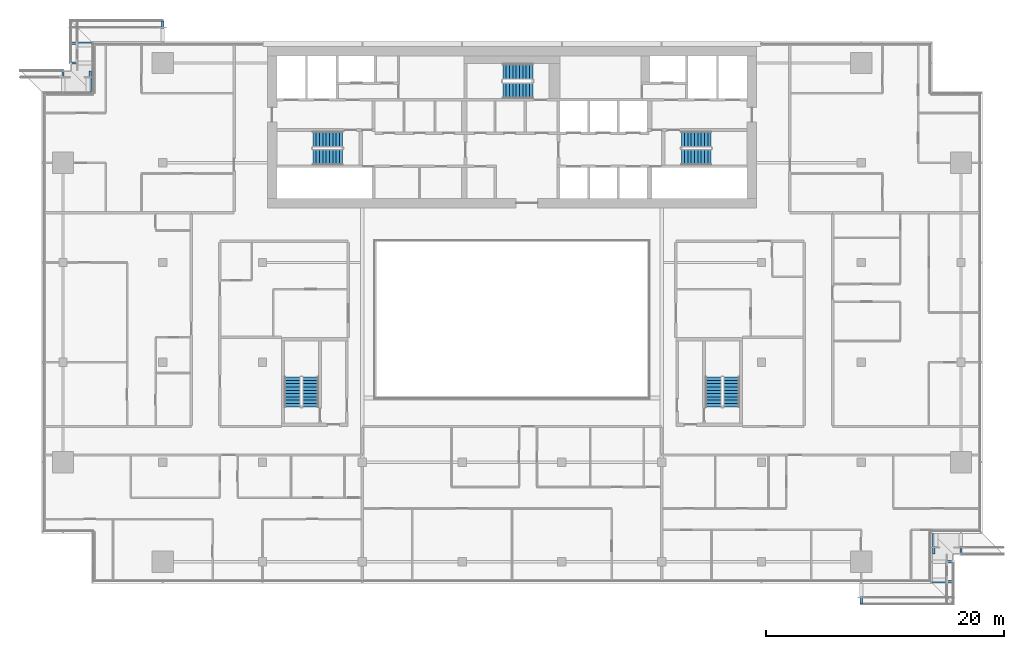
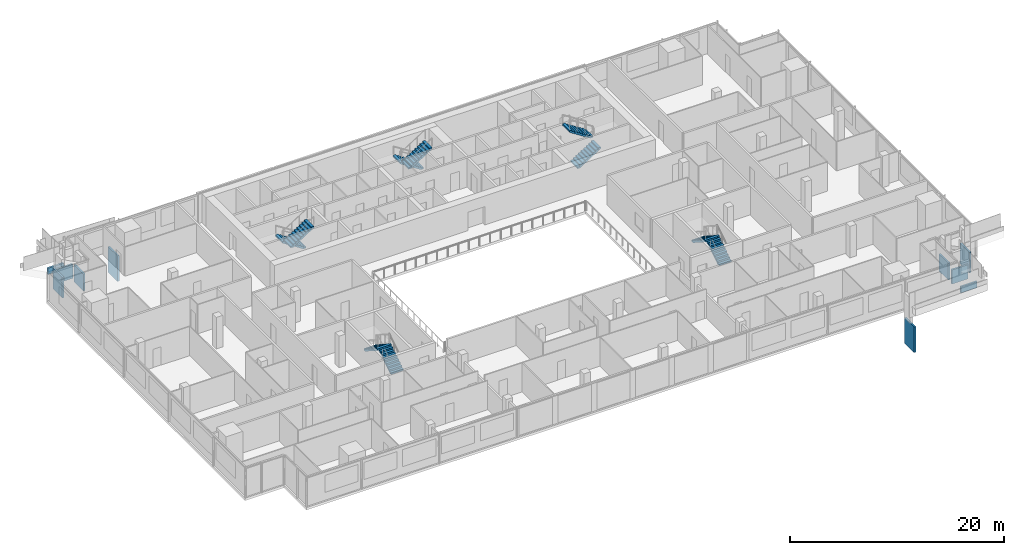
# One storey, part 25 of 30: 10 discrete accessories, 10 stair flights, 5 elements without a shape of their own.
"""IFC4 building model written with IfcOpenShell, lengths in metres."""

from ifc_helpers import new_model, si_unit, direction, frame, origin, origin_2d, place, context, subcontext, project, spatial, polyline, rectangle, outline, extrude, material, type_object, element, aggregate, save


model = new_model("IFC4")

# Units and contexts
model_context = context("Model", 3, precision=1e-05, world=origin(), true_north=direction((0.0, 1.0)))
body_context = subcontext(model_context, "Body", "Model", "MODEL_VIEW")
ifc_project = project(units=[si_unit("LENGTHUNIT", "METRE"), si_unit("AREAUNIT", "SQUARE_METRE"), si_unit("VOLUMEUNIT", "CUBIC_METRE"), si_unit("PLANEANGLEUNIT", "RADIAN"), si_unit("MASSUNIT", "GRAM", prefix="KILO")], contexts=[model_context])

# Site, building, storey
site_placement = place(None, origin())
site = spatial("IfcSite", under=ifc_project, at=site_placement, CompositionType="ELEMENT")
building_placement = place(site_placement, origin())
building = spatial("IfcBuilding", under=site, at=building_placement, Name="Saffron Gate Tower", CompositionType="ELEMENT")
storey_placement = place(building_placement, frame((0.0, 0.0, 179.85009765625)))
storey = spatial("IfcBuildingStorey", under=building, at=storey_placement, Name="L44", CompositionType="ELEMENT", Elevation=179.85009765625)

# Stair, stair flights
ifc_material = material(Name="Concrete C40", Category="concrete")
stair_type = type_object("IfcStairType", Name="ST7 Stair 1350 wide, 20 risers of 180", PredefinedType="HALF_TURN_STAIR", material=ifc_material)
stair_1_placement = place(storey_placement, origin())
stair_1 = element("IfcStair", 1, at=stair_1_placement, inside=storey, type_object=stair_type, Name="L44 Exit stair A", PredefinedType="HALF_TURN_STAIR")
stair_flight_type = type_object("IfcStairFlightType", Name="SF3 Stair flight 1350 wide, riser 180 going 280", PredefinedType="STRAIGHT", material=ifc_material)
stair_flight_1_placement = place(storey_placement, frame((73.35009765625, 67.375, 0.0), z_axis=(0.0, 0.0, 1.0), x_axis=(-1.0, 0.0, 0.0)))
stair_flight_1 = element("IfcStairFlight", 2, at=stair_flight_1_placement, type_object=stair_flight_type, Name="ST-A flight 1", NumberOfRisers=10, NumberOfTreads=9, PredefinedType="STRAIGHT", RiserHeight=0.18, TreadLength=0.28, context=body_context, shape_type="SweptSolid", body=[
    extrude(outline(polyline([(0.0, 0.0), (0.0, 0.179931640625), (0.280029296875, 0.179931640625), (0.280029296875, 0.360107421875), (0.56005859375, 0.360107421875), (0.56005859375, 0.5400390625), (0.840087890625, 0.5400390625), (0.840087890625, 0.719970703125), (1.1201171875, 0.719970703125), (1.1201171875, 0.89990234375), (1.39990234375, 0.89990234375), (1.39990234375, 1.080078125), (1.679931640625, 1.080078125), (1.679931640625, 1.260009765625), (1.9599609375, 1.260009765625), (1.9599609375, 1.43994140625), (2.239990234375, 1.43994140625), (2.239990234375, 1.6201171875), (2.52001953125, 1.6201171875), (2.52001953125, 1.800048828125), (2.52001953125, 1.44189453125), (0.277099609375, 0.0), (0.0, 0.0)])), frame((0.0, 0.675048828125, 0.0), z_axis=(0.0, -1.0, 0.0), x_axis=(1.0, 0.0, 0.0)), (0.0, 0.0, 1.0), 1.35009765625),
])
stair_flight_2_placement = place(storey_placement, frame((70.830078125, 65.875, 1.7998046875), z_axis=(0.0, 0.0, 1.0), x_axis=(1.0, 0.0, 0.0)))
stair_flight_2 = element("IfcStairFlight", 3, at=stair_flight_2_placement, type_object=stair_flight_type, Name="ST-A flight 2", NumberOfRisers=10, NumberOfTreads=9, PredefinedType="STRAIGHT", RiserHeight=0.18, TreadLength=0.28, context=body_context, shape_type="SweptSolid", body=[
    extrude(outline(polyline([(0.0, 0.0), (0.0, 0.179931640625), (0.280029296875, 0.179931640625), (0.280029296875, 0.360107421875), (0.56005859375, 0.360107421875), (0.56005859375, 0.5400390625), (0.840087890625, 0.5400390625), (0.840087890625, 0.719970703125), (1.1201171875, 0.719970703125), (1.1201171875, 0.89990234375), (1.39990234375, 0.89990234375), (1.39990234375, 1.080078125), (1.679931640625, 1.080078125), (1.679931640625, 1.260009765625), (1.9599609375, 1.260009765625), (1.9599609375, 1.43994140625), (2.239990234375, 1.43994140625), (2.239990234375, 1.6201171875), (2.52001953125, 1.6201171875), (2.52001953125, 1.800048828125), (2.52001953125, 1.44189453125), (0.277099609375, 0.0), (0.0, 0.0)])), frame((0.0, 0.675048828125, 0.0), z_axis=(0.0, -1.0, 0.0), x_axis=(1.0, 0.0, 0.0)), (0.0, 0.0, 1.0), 1.35009765625),
])
aggregate(stair_1, [stair_flight_1, stair_flight_2])

stair_2_placement = place(storey_placement, origin())
stair_2 = element("IfcStair", 4, at=stair_2_placement, inside=storey, type_object=stair_type, Name="L44 Exit stair B", PredefinedType="HALF_TURN_STAIR")
stair_flight_3_placement = place(storey_placement, frame((101.85009765625, 65.875, 0.0), z_axis=(0.0, 0.0, 1.0), x_axis=(1.0, 0.0, 0.0)))
stair_flight_3 = element("IfcStairFlight", 5, at=stair_flight_3_placement, type_object=stair_flight_type, Name="ST-B flight 1", NumberOfRisers=10, NumberOfTreads=9, PredefinedType="STRAIGHT", RiserHeight=0.18, TreadLength=0.28, context=body_context, shape_type="SweptSolid", body=[
    extrude(outline(polyline([(0.0, 0.0), (0.0, 0.179931640625), (0.280029296875, 0.179931640625), (0.280029296875, 0.360107421875), (0.56005859375, 0.360107421875), (0.56005859375, 0.5400390625), (0.840087890625, 0.5400390625), (0.840087890625, 0.719970703125), (1.1201171875, 0.719970703125), (1.1201171875, 0.89990234375), (1.39990234375, 0.89990234375), (1.39990234375, 1.080078125), (1.679931640625, 1.080078125), (1.679931640625, 1.260009765625), (1.9599609375, 1.260009765625), (1.9599609375, 1.43994140625), (2.239990234375, 1.43994140625), (2.239990234375, 1.6201171875), (2.52001953125, 1.6201171875), (2.52001953125, 1.800048828125), (2.52001953125, 1.44189453125), (0.277099609375, 0.0), (0.0, 0.0)])), frame((0.0, 0.675048828125, 0.0), z_axis=(0.0, -1.0, 0.0), x_axis=(1.0, 0.0, 0.0)), (0.0, 0.0, 1.0), 1.35009765625),
])
stair_flight_4_placement = place(storey_placement, frame((104.3701171875, 67.375, 1.7998046875), z_axis=(0.0, 0.0, 1.0), x_axis=(-1.0, 0.0, 0.0)))
stair_flight_4 = element("IfcStairFlight", 6, at=stair_flight_4_placement, type_object=stair_flight_type, Name="ST-B flight 2", NumberOfRisers=10, NumberOfTreads=9, PredefinedType="STRAIGHT", RiserHeight=0.18, TreadLength=0.28, context=body_context, shape_type="SweptSolid", body=[
    extrude(outline(polyline([(0.0, 0.0), (0.0, 0.179931640625), (0.280029296875, 0.179931640625), (0.280029296875, 0.360107421875), (0.56005859375, 0.360107421875), (0.56005859375, 0.5400390625), (0.840087890625, 0.5400390625), (0.840087890625, 0.719970703125), (1.1201171875, 0.719970703125), (1.1201171875, 0.89990234375), (1.39990234375, 0.89990234375), (1.39990234375, 1.080078125), (1.679931640625, 1.080078125), (1.679931640625, 1.260009765625), (1.9599609375, 1.260009765625), (1.9599609375, 1.43994140625), (2.239990234375, 1.43994140625), (2.239990234375, 1.6201171875), (2.52001953125, 1.6201171875), (2.52001953125, 1.800048828125), (2.52001953125, 1.44189453125), (0.277099609375, 0.0), (0.0, 0.0)])), frame((0.0, 0.675048828125, 0.0), z_axis=(0.0, -1.0, 0.0), x_axis=(1.0, 0.0, 0.0)), (0.0, 0.0, 1.0), 1.35009765625),
])
aggregate(stair_2, [stair_flight_3, stair_flight_4])

stair_3_placement = place(storey_placement, origin())
stair_3 = element("IfcStair", 7, at=stair_3_placement, inside=storey, type_object=stair_type, Name="L44 Exit stair C", PredefinedType="HALF_TURN_STAIR")
stair_flight_5_placement = place(storey_placement, frame((89.35009765625, 73.074951171875, 0.0), z_axis=(0.0, 0.0, 1.0), x_axis=(-1.0, 0.0, 0.0)))
stair_flight_5 = element("IfcStairFlight", 8, at=stair_flight_5_placement, type_object=stair_flight_type, Name="ST-C flight 1", NumberOfRisers=10, NumberOfTreads=9, PredefinedType="STRAIGHT", RiserHeight=0.18, TreadLength=0.28, context=body_context, shape_type="SweptSolid", body=[
    extrude(outline(polyline([(0.0, 0.0), (0.0, 0.179931640625), (0.280029296875, 0.179931640625), (0.280029296875, 0.360107421875), (0.56005859375, 0.360107421875), (0.56005859375, 0.5400390625), (0.840087890625, 0.5400390625), (0.840087890625, 0.719970703125), (1.1201171875, 0.719970703125), (1.1201171875, 0.89990234375), (1.39990234375, 0.89990234375), (1.39990234375, 1.080078125), (1.679931640625, 1.080078125), (1.679931640625, 1.260009765625), (1.9599609375, 1.260009765625), (1.9599609375, 1.43994140625), (2.239990234375, 1.43994140625), (2.239990234375, 1.6201171875), (2.52001953125, 1.6201171875), (2.52001953125, 1.800048828125), (2.52001953125, 1.44189453125), (0.277099609375, 0.0), (0.0, 0.0)])), frame((0.0, 0.675048828125, 0.0), z_axis=(0.0, -1.0, 0.0), x_axis=(1.0, 0.0, 0.0)), (0.0, 0.0, 1.0), 1.35009765625),
])
stair_flight_6_placement = place(storey_placement, frame((86.830078125, 71.47509765625, 1.7998046875), z_axis=(0.0, 0.0, 1.0), x_axis=(1.0, 0.0, 0.0)))
stair_flight_6 = element("IfcStairFlight", 9, at=stair_flight_6_placement, type_object=stair_flight_type, Name="ST-C flight 2", NumberOfRisers=10, NumberOfTreads=9, PredefinedType="STRAIGHT", RiserHeight=0.18, TreadLength=0.28, context=body_context, shape_type="SweptSolid", body=[
    extrude(outline(polyline([(0.0, 0.0), (0.0, 0.179931640625), (0.280029296875, 0.179931640625), (0.280029296875, 0.360107421875), (0.56005859375, 0.360107421875), (0.56005859375, 0.5400390625), (0.840087890625, 0.5400390625), (0.840087890625, 0.719970703125), (1.1201171875, 0.719970703125), (1.1201171875, 0.89990234375), (1.39990234375, 0.89990234375), (1.39990234375, 1.080078125), (1.679931640625, 1.080078125), (1.679931640625, 1.260009765625), (1.9599609375, 1.260009765625), (1.9599609375, 1.43994140625), (2.239990234375, 1.43994140625), (2.239990234375, 1.6201171875), (2.52001953125, 1.6201171875), (2.52001953125, 1.800048828125), (2.52001953125, 1.44189453125), (0.277099609375, 0.0), (0.0, 0.0)])), frame((0.0, 0.675048828125, 0.0), z_axis=(0.0, -1.0, 0.0), x_axis=(1.0, 0.0, 0.0)), (0.0, 0.0, 1.0), 1.35009765625),
])
aggregate(stair_3, [stair_flight_5, stair_flight_6])

stair_4_placement = place(storey_placement, origin())
stair_4 = element("IfcStair", 10, at=stair_4_placement, inside=storey, type_object=stair_type, Name="L44 Exit stair D", PredefinedType="HALF_TURN_STAIR")
stair_flight_7_placement = place(storey_placement, frame((70.625, 44.85009765625, 0.0), z_axis=(0.0, 0.0, 1.0), x_axis=(0.0, 1.0, 0.0)))
stair_flight_7 = element("IfcStairFlight", 11, at=stair_flight_7_placement, type_object=stair_flight_type, Name="ST-D flight 1", NumberOfRisers=10, NumberOfTreads=9, PredefinedType="STRAIGHT", RiserHeight=0.18, TreadLength=0.28, context=body_context, shape_type="SweptSolid", body=[
    extrude(outline(polyline([(0.0, 0.0), (0.0, 0.179931640625), (0.280029296875, 0.179931640625), (0.280029296875, 0.360107421875), (0.56005859375, 0.360107421875), (0.56005859375, 0.5400390625), (0.840087890625, 0.5400390625), (0.840087890625, 0.719970703125), (1.1201171875, 0.719970703125), (1.1201171875, 0.89990234375), (1.39990234375, 0.89990234375), (1.39990234375, 1.080078125), (1.679931640625, 1.080078125), (1.679931640625, 1.260009765625), (1.9599609375, 1.260009765625), (1.9599609375, 1.43994140625), (2.239990234375, 1.43994140625), (2.239990234375, 1.6201171875), (2.52001953125, 1.6201171875), (2.52001953125, 1.800048828125), (2.52001953125, 1.44189453125), (0.277099609375, 0.0), (0.0, 0.0)])), frame((0.0, 0.675048828125, 0.0), z_axis=(0.0, -1.0, 0.0), x_axis=(1.0, 0.0, 0.0)), (0.0, 0.0, 1.0), 1.35009765625),
])
stair_flight_8_placement = place(storey_placement, frame((69.125, 47.3701171875, 1.7998046875), z_axis=(0.0, 0.0, 1.0), x_axis=(0.0, -1.0, 0.0)))
stair_flight_8 = element("IfcStairFlight", 12, at=stair_flight_8_placement, type_object=stair_flight_type, Name="ST-D flight 2", NumberOfRisers=10, NumberOfTreads=9, PredefinedType="STRAIGHT", RiserHeight=0.18, TreadLength=0.28, context=body_context, shape_type="SweptSolid", body=[
    extrude(outline(polyline([(0.0, 0.0), (0.0, 0.179931640625), (0.280029296875, 0.179931640625), (0.280029296875, 0.360107421875), (0.56005859375, 0.360107421875), (0.56005859375, 0.5400390625), (0.840087890625, 0.5400390625), (0.840087890625, 0.719970703125), (1.1201171875, 0.719970703125), (1.1201171875, 0.89990234375), (1.39990234375, 0.89990234375), (1.39990234375, 1.080078125), (1.679931640625, 1.080078125), (1.679931640625, 1.260009765625), (1.9599609375, 1.260009765625), (1.9599609375, 1.43994140625), (2.239990234375, 1.43994140625), (2.239990234375, 1.6201171875), (2.52001953125, 1.6201171875), (2.52001953125, 1.800048828125), (2.52001953125, 1.44189453125), (0.277099609375, 0.0), (0.0, 0.0)])), frame((0.0, 0.675048828125, 0.0), z_axis=(0.0, -1.0, 0.0), x_axis=(1.0, 0.0, 0.0)), (0.0, 0.0, 1.0), 1.35009765625),
])
aggregate(stair_4, [stair_flight_7, stair_flight_8])

stair_5_placement = place(storey_placement, origin())
stair_5 = element("IfcStair", 13, at=stair_5_placement, inside=storey, type_object=stair_type, Name="L44 Exit stair E", PredefinedType="HALF_TURN_STAIR")
stair_flight_9_placement = place(storey_placement, frame((106.074951171875, 44.85009765625, 0.0), z_axis=(0.0, 0.0, 1.0), x_axis=(0.0, 1.0, 0.0)))
stair_flight_9 = element("IfcStairFlight", 14, at=stair_flight_9_placement, type_object=stair_flight_type, Name="ST-E flight 1", NumberOfRisers=10, NumberOfTreads=9, PredefinedType="STRAIGHT", RiserHeight=0.18, TreadLength=0.28, context=body_context, shape_type="SweptSolid", body=[
    extrude(outline(polyline([(0.0, 0.0), (0.0, 0.179931640625), (0.280029296875, 0.179931640625), (0.280029296875, 0.360107421875), (0.56005859375, 0.360107421875), (0.56005859375, 0.5400390625), (0.840087890625, 0.5400390625), (0.840087890625, 0.719970703125), (1.1201171875, 0.719970703125), (1.1201171875, 0.89990234375), (1.39990234375, 0.89990234375), (1.39990234375, 1.080078125), (1.679931640625, 1.080078125), (1.679931640625, 1.260009765625), (1.9599609375, 1.260009765625), (1.9599609375, 1.43994140625), (2.239990234375, 1.43994140625), (2.239990234375, 1.6201171875), (2.52001953125, 1.6201171875), (2.52001953125, 1.800048828125), (2.52001953125, 1.44189453125), (0.277099609375, 0.0), (0.0, 0.0)])), frame((0.0, 0.675048828125, 0.0), z_axis=(0.0, -1.0, 0.0), x_axis=(1.0, 0.0, 0.0)), (0.0, 0.0, 1.0), 1.35009765625),
])
stair_flight_10_placement = place(storey_placement, frame((104.574951171875, 47.3701171875, 1.7998046875), z_axis=(0.0, 0.0, 1.0), x_axis=(0.0, -1.0, 0.0)))
stair_flight_10 = element("IfcStairFlight", 15, at=stair_flight_10_placement, type_object=stair_flight_type, Name="ST-E flight 2", NumberOfRisers=10, NumberOfTreads=9, PredefinedType="STRAIGHT", RiserHeight=0.18, TreadLength=0.28, context=body_context, shape_type="SweptSolid", body=[
    extrude(outline(polyline([(0.0, 0.0), (0.0, 0.179931640625), (0.280029296875, 0.179931640625), (0.280029296875, 0.360107421875), (0.56005859375, 0.360107421875), (0.56005859375, 0.5400390625), (0.840087890625, 0.5400390625), (0.840087890625, 0.719970703125), (1.1201171875, 0.719970703125), (1.1201171875, 0.89990234375), (1.39990234375, 0.89990234375), (1.39990234375, 1.080078125), (1.679931640625, 1.080078125), (1.679931640625, 1.260009765625), (1.9599609375, 1.260009765625), (1.9599609375, 1.43994140625), (2.239990234375, 1.43994140625), (2.239990234375, 1.6201171875), (2.52001953125, 1.6201171875), (2.52001953125, 1.800048828125), (2.52001953125, 1.44189453125), (0.277099609375, 0.0), (0.0, 0.0)])), frame((0.0, 0.675048828125, 0.0), z_axis=(0.0, -1.0, 0.0), x_axis=(1.0, 0.0, 0.0)), (0.0, 0.0, 1.0), 1.35009765625),
])
aggregate(stair_5, [stair_flight_9, stair_flight_10])

# Discrete accessories
discrete_accessory_1_placement = place(storey_placement, frame((58.199951171875, 76.47509765625, -3.8798828125), z_axis=(0.0, 0.0, 1.0), x_axis=(-1.0, 0.0, 0.0)))
element("IfcDiscreteAccessory", 16, at=discrete_accessory_1_placement, inside=storey, Name="LEDGE rib", PredefinedType="BRACKET", context=body_context, shape_type="SweptSolid", body=[
    extrude(rectangle(XDim=0.199951171875, YDim=1.75, at=origin_2d()), origin(), (0.0, 0.0, 1.0), 2.935302734375),
])
discrete_accessory_2_placement = place(storey_placement, frame((51.324951171875, 75.47998046875, -0.280029296875), z_axis=(0.0, 0.0, 1.0), x_axis=(0.0, -1.0, 0.0)))
element("IfcDiscreteAccessory", 17, at=discrete_accessory_2_placement, inside=storey, Name="LEDGE rib", PredefinedType="BRACKET", context=body_context, shape_type="SweptSolid", body=[
    extrude(rectangle(XDim=0.199951171875, YDim=1.75, at=origin_2d()), origin(), (0.0, 0.0, 1.0), 0.70849609375),
])
discrete_accessory_3_placement = place(storey_placement, frame((51.324951171875, 73.800048828125, -0.280029296875), z_axis=(0.0, 0.0, 1.0), x_axis=(0.0, -1.0, 0.0)))
element("IfcDiscreteAccessory", 18, at=discrete_accessory_3_placement, inside=storey, Name="LEDGE rib", PredefinedType="BRACKET", context=body_context, shape_type="SweptSolid", body=[
    extrude(rectangle(XDim=0.199951171875, YDim=1.75, at=origin_2d()), origin(), (0.0, 0.0, 1.0), 1.61767578125),
])
discrete_accessory_4_placement = place(storey_placement, frame((52.080078125, 72.27490234375, -0.2802734375), z_axis=(0.0, 0.0, 1.0), x_axis=(-1.0, 0.0, 0.0)))
element("IfcDiscreteAccessory", 19, at=discrete_accessory_4_placement, inside=storey, Name="LEDGE rib", PredefinedType="BRACKET", context=body_context, shape_type="SweptSolid", body=[
    extrude(rectangle(XDim=0.199951171875, YDim=1.75, at=origin_2d()), origin(), (0.0, 0.0, 1.0), 1.944091796875),
])
discrete_accessory_5_placement = place(storey_placement, frame((49.800048828125, 72.27490234375, -0.2802734375), z_axis=(0.0, 0.0, 1.0), x_axis=(-1.0, 0.0, 0.0)))
element("IfcDiscreteAccessory", 20, at=discrete_accessory_5_placement, inside=storey, Name="LEDGE rib", PredefinedType="BRACKET", context=body_context, shape_type="SweptSolid", body=[
    extrude(rectangle(XDim=0.199951171875, YDim=1.75, at=origin_2d()), origin(), (0.0, 0.0, 1.0), 2.356201171875),
])
discrete_accessory_6_placement = place(storey_placement, frame((117.0, 29.125, -3.8798828125), z_axis=(0.0, 0.0, 1.0), x_axis=(1.0, 0.0, 0.0)))
element("IfcDiscreteAccessory", 21, at=discrete_accessory_6_placement, inside=storey, Name="LEDGE rib", PredefinedType="BRACKET", context=body_context, shape_type="SweptSolid", body=[
    extrude(rectangle(XDim=0.199951171875, YDim=1.75, at=origin_2d()), origin(), (0.0, 0.0, 1.0), 2.935302734375),
])
discrete_accessory_7_placement = place(storey_placement, frame((123.875, 30.1201171875, -0.280029296875), z_axis=(0.0, 0.0, 1.0), x_axis=(0.0, 1.0, 0.0)))
element("IfcDiscreteAccessory", 22, at=discrete_accessory_7_placement, inside=storey, Name="LEDGE rib", PredefinedType="BRACKET", context=body_context, shape_type="SweptSolid", body=[
    extrude(rectangle(XDim=0.199951171875, YDim=1.75, at=origin_2d()), origin(), (0.0, 0.0, 1.0), 0.70849609375),
])
discrete_accessory_8_placement = place(storey_placement, frame((123.875, 31.800048828125, -0.280029296875), z_axis=(0.0, 0.0, 1.0), x_axis=(0.0, 1.0, 0.0)))
element("IfcDiscreteAccessory", 23, at=discrete_accessory_8_placement, inside=storey, Name="LEDGE rib", PredefinedType="BRACKET", context=body_context, shape_type="SweptSolid", body=[
    extrude(rectangle(XDim=0.199951171875, YDim=1.75, at=origin_2d()), origin(), (0.0, 0.0, 1.0), 1.61767578125),
])
discrete_accessory_9_placement = place(storey_placement, frame((123.1201171875, 33.324951171875, -0.2802734375), z_axis=(0.0, 0.0, 1.0), x_axis=(1.0, 0.0, 0.0)))
element("IfcDiscreteAccessory", 24, at=discrete_accessory_9_placement, inside=storey, Name="LEDGE rib", PredefinedType="BRACKET", context=body_context, shape_type="SweptSolid", body=[
    extrude(rectangle(XDim=0.199951171875, YDim=1.75, at=origin_2d()), origin(), (0.0, 0.0, 1.0), 1.944091796875),
])
discrete_accessory_10_placement = place(storey_placement, frame((125.39990234375, 33.324951171875, -0.2802734375), z_axis=(0.0, 0.0, 1.0), x_axis=(1.0, 0.0, 0.0)))
element("IfcDiscreteAccessory", 25, at=discrete_accessory_10_placement, inside=storey, Name="LEDGE rib", PredefinedType="BRACKET", context=body_context, shape_type="SweptSolid", body=[
    extrude(rectangle(XDim=0.199951171875, YDim=1.75, at=origin_2d()), origin(), (0.0, 0.0, 1.0), 2.356201171875),
])

save(model, "model.ifc")
